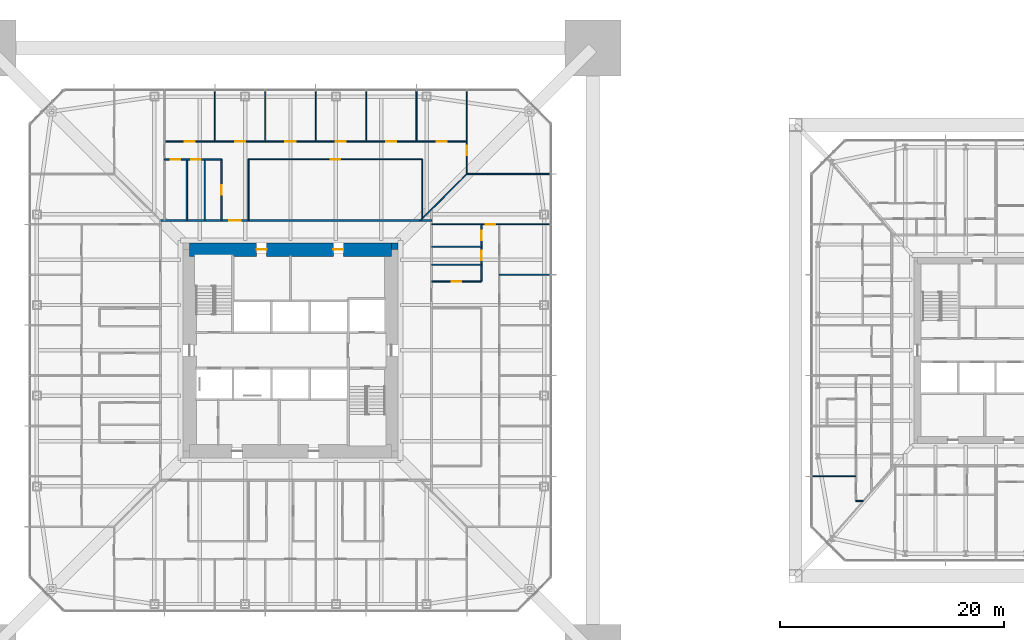
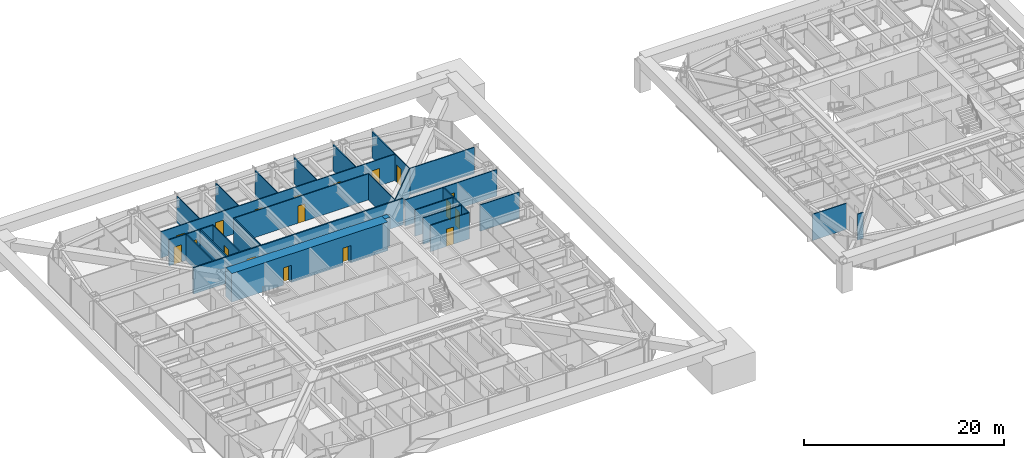
# One storey, part 23 of 32: 27 walls, 18 doors, 18 openings.
"""IFC4 building model written with IfcOpenShell, lengths in metres."""

from ifc_helpers import new_model, si_unit, direction, frame, frame_2d, origin, place, context, subcontext, project, spatial, rectangle, extrude, material, layer, layer_set, type_object, element, fill, save


model = new_model("IFC4")

# Units and contexts
model_context = context("Model", 3, precision=1e-05, world=origin(), true_north=direction((0.0, 1.0)))
body_context = subcontext(model_context, "Body", "Model", "MODEL_VIEW")
ifc_project = project(units=[si_unit("LENGTHUNIT", "METRE"), si_unit("AREAUNIT", "SQUARE_METRE"), si_unit("VOLUMEUNIT", "CUBIC_METRE"), si_unit("PLANEANGLEUNIT", "RADIAN"), si_unit("MASSUNIT", "GRAM", prefix="KILO")], contexts=[model_context])

# Site, building, storey
site_placement = place(None, origin())
site = spatial("IfcSite", under=ifc_project, at=site_placement, CompositionType="ELEMENT")
building_placement = place(site_placement, origin())
building = spatial("IfcBuilding", under=site, at=building_placement, Name="Iwan Alto Co-Living Towers", CompositionType="ELEMENT")
storey_placement = place(building_placement, frame((0.0, 0.0, 71.0)))
storey = spatial("IfcBuildingStorey", under=building, at=storey_placement, Name="L19", CompositionType="ELEMENT", Elevation=71.0)

# Wall, opening, door
ifc_material_1 = material(Name="Gypsum board")
ifc_layer_1 = layer(ifc_material_1, 0.02490234375, Name="Board", Category="Finish")
ifc_material_2 = material(Name="Steel ASTM A1003 ST33H cold-formed studs", Category="steel")
ifc_layer_2 = layer(ifc_material_2, 0.10009765625, Name="Studs", Category="Framing")
ifc_layer_3 = layer(ifc_material_1, 0.02490234375, Name="Board", Category="Finish")
ifc_layer_set_1 = layer_set([ifc_layer_1, ifc_layer_2, ifc_layer_3], Name="CORRIDOR WALL 150")
wall_type_1 = type_object("IfcWallType", Name="CORRIDOR WALL 150", PredefinedType="PARTITIONING", material=ifc_layer_set_1)
wall_1_placement = place(storey_placement, frame((-11.60009765625, 11.60009765625, 0.0), z_axis=(0.0, 0.0, 1.0), x_axis=(1.0, 0.0, 0.0)))
wall_1 = element("IfcWall", 1, at=wall_1_placement, inside=storey, type_object=wall_type_1, Name="Partition L19", PredefinedType="PARTITIONING", context=body_context, shape_type="SweptSolid", body=[
    extrude(rectangle(XDim=24.2001953125, YDim=0.14990234375, at=frame_2d((12.10009765625, 0.0))), origin(), (0.0, 0.0, 1.0), 3.199951171875),
])
opening_1_placement = place(wall_1_placement, frame((6.14990234375, 0.0, 0.0)))
opening_1 = element("IfcOpeningElement", 2, at=opening_1_placement, cuts=wall_1, Name="Opening D3", PredefinedType="OPENING", context=body_context, shape_type="SweptSolid", body=[
    extrude(rectangle(XDim=1.0, YDim=2.10009765625, at=frame_2d((0.5, 1.050048828125))), frame((0.0, 0.0849609375, 0.0), z_axis=(0.0, -1.0, 0.0), x_axis=(1.0, 0.0, 0.0)), (0.0, 0.0, 1.0), 0.169921875),
])
ifc_material_3 = material(Name="Steel frame with timber leaf", Category="steel")
door_type_1 = type_object("IfcDoorType", Name="FLAT ENTRANCE DOOR FD30S 1000X2100", OperationType="SINGLE_SWING_LEFT", PredefinedType="DOOR", material=ifc_material_3)
door_1_placement = place(opening_1_placement, origin())
door_1 = element("IfcDoor", 3, at=door_1_placement, inside=storey, type_object=door_type_1, Name="Cluster lounge and shared kitchen door L19", OperationType="SINGLE_SWING_LEFT", OverallHeight=2.10009765625, OverallWidth=1.0, PredefinedType="DOOR", context=body_context, shape_type="SweptSolid", body=[
    extrude(rectangle(XDim=1.0, YDim=2.10009765625, at=frame_2d((0.5, 1.050048828125))), frame((0.0, 0.02490234375, 0.0), z_axis=(0.0, -1.0, 0.0), x_axis=(1.0, 0.0, 0.0)), (0.0, 0.0, 1.0), 0.050048828125),
])
fill(opening_1, door_1)

# Walls
ifc_layer_4 = layer(ifc_material_1, 0.012451171875, Name="Board", Category="Finish")
ifc_layer_5 = layer(ifc_material_2, 0.074951171875, Name="Studs", Category="Framing")
ifc_layer_6 = layer(ifc_material_1, 0.012451171875, Name="Board", Category="Finish")
ifc_layer_set_2 = layer_set([ifc_layer_4, ifc_layer_5, ifc_layer_6], Name="PARTITION 100")
wall_type_2 = type_object("IfcWallType", Name="PARTITION 100", PredefinedType="PARTITIONING", material=ifc_layer_set_2)
wall_2_placement = place(storey_placement, frame((50.5, -13.449951171875, 0.0), z_axis=(0.0, 0.0, 1.0), x_axis=(1.0, 0.0, 0.0)))
element("IfcWall", 4, at=wall_2_placement, inside=storey, type_object=wall_type_2, Name="Partition L19", PredefinedType="PARTITIONING", context=body_context, shape_type="SweptSolid", body=[
    extrude(rectangle(XDim=0.6640625, YDim=0.10009765625, at=frame_2d((0.33203125, 0.0))), origin(), (0.0, 0.0, 1.0), 3.199951171875),
])
wall_3_placement = place(storey_placement, frame((46.56005859375, -11.25, 0.0), z_axis=(0.0, 0.0, 1.0), x_axis=(1.0, 0.0, 0.0)))
element("IfcWall", 5, at=wall_3_placement, inside=storey, type_object=wall_type_2, Name="Partition L19", PredefinedType="PARTITIONING", context=body_context, shape_type="SweptSolid", body=[
    extrude(rectangle(XDim=3.93994140625, YDim=0.10009765625, at=frame_2d((1.969970703125, 0.0))), origin(), (0.0, 0.0, 1.0), 3.199951171875),
])
wall_4_placement = place(storey_placement, frame((18.64990234375, 6.75, 0.0), z_axis=(0.0, 0.0, 1.0), x_axis=(1.0, 0.0, 0.0)))
element("IfcWall", 6, at=wall_4_placement, inside=storey, type_object=wall_type_2, Name="Partition L19", PredefinedType="PARTITIONING", context=body_context, shape_type="SweptSolid", body=[
    extrude(rectangle(XDim=4.5400390625, YDim=0.10009765625, at=frame_2d((2.27001953125, 0.0))), origin(), (0.0, 0.0, 1.0), 3.199951171875),
])

# Wall, opening, door
wall_5_placement = place(storey_placement, frame((12.60009765625, 11.25, 0.0), z_axis=(0.0, 0.0, 1.0), x_axis=(1.0, 0.0, 0.0)))
wall_5 = element("IfcWall", 7, at=wall_5_placement, inside=storey, type_object=wall_type_2, Name="Partition L19", PredefinedType="PARTITIONING", context=body_context, shape_type="SweptSolid", body=[
    extrude(rectangle(XDim=10.58984375, YDim=0.10009765625, at=frame_2d((5.294921875, 0.0))), origin(), (0.0, 0.0, 1.0), 3.199951171875),
])
opening_2_placement = place(wall_5_placement, frame((4.824951171875, 0.0, 0.0)))
opening_2 = element("IfcOpeningElement", 8, at=opening_2_placement, cuts=wall_5, Name="Opening D2", PredefinedType="OPENING", context=body_context, shape_type="SweptSolid", body=[
    extrude(rectangle(XDim=0.85009765625, YDim=2.10009765625, at=frame_2d((0.425048828125, 1.050048828125))), frame((0.0, 0.06005859375, 0.0), z_axis=(0.0, -1.0, 0.0), x_axis=(1.0, 0.0, 0.0)), (0.0, 0.0, 1.0), 0.1201171875),
])
ifc_material_4 = material(Name="Timber leaf in steel frame", Category="steel")
door_type_2 = type_object("IfcDoorType", Name="ROOM DOOR 850X2100", OperationType="SINGLE_SWING_LEFT", PredefinedType="DOOR", material=ifc_material_4)
door_2_placement = place(opening_2_placement, frame((0.85009765625, 0.0, 0.0), z_axis=(0.0, 0.0, 1.0), x_axis=(-1.0, 0.0, 0.0)))
door_2 = element("IfcDoor", 9, at=door_2_placement, inside=storey, type_object=door_type_2, Name="Reading room door L19", OperationType="SINGLE_SWING_RIGHT", OverallHeight=2.10009765625, OverallWidth=0.85009765625, PredefinedType="DOOR", context=body_context, shape_type="SweptSolid", body=[
    extrude(rectangle(XDim=0.85009765625, YDim=2.10009765625, at=frame_2d((0.425048828125, 1.050048828125))), frame((0.0, 0.02490234375, 0.0), z_axis=(0.0, -1.0, 0.0), x_axis=(1.0, 0.0, 0.0)), (0.0, 0.0, 1.0), 0.050048828125),
])
fill(opening_2, door_2)

# Wall
wall_6_placement = place(storey_placement, frame((15.75, 15.75, 0.0), z_axis=(0.0, 0.0, 1.0), x_axis=(1.0, 0.0, 0.0)))
element("IfcWall", 10, at=wall_6_placement, inside=storey, type_object=wall_type_2, Name="Partition L19", PredefinedType="PARTITIONING", context=body_context, shape_type="SweptSolid", body=[
    extrude(rectangle(XDim=7.43994140625, YDim=0.10009765625, at=frame_2d((3.719970703125, 0.0))), origin(), (0.0, 0.0, 1.0), 3.199951171875),
])

# Wall, opening, door
wall_7_placement = place(storey_placement, frame((-3.75, 17.050048828125, 0.0), z_axis=(0.0, 0.0, 1.0), x_axis=(1.0, 0.0, 0.0)))
wall_7 = element("IfcWall", 11, at=wall_7_placement, inside=storey, type_object=wall_type_2, Name="Partition L19", PredefinedType="PARTITIONING", context=body_context, shape_type="SweptSolid", body=[
    extrude(rectangle(XDim=15.510009765625, YDim=0.10009765625, at=frame_2d((7.7548828125, 0.0))), origin(), (0.0, 0.0, 1.0), 3.199951171875),
])
opening_3_placement = place(wall_7_placement, frame((7.330078125, 0.0, 0.0)))
opening_3 = element("IfcOpeningElement", 12, at=opening_3_placement, cuts=wall_7, Name="Opening D2", PredefinedType="OPENING", context=body_context, shape_type="SweptSolid", body=[
    extrude(rectangle(XDim=0.85009765625, YDim=2.10009765625, at=frame_2d((0.425048828125, 1.050048828125))), frame((0.0, 0.06005859375, 0.0), z_axis=(0.0, -1.0, 0.0), x_axis=(1.0, 0.0, 0.0)), (0.0, 0.0, 1.0), 0.1201171875),
])
door_3_placement = place(opening_3_placement, frame((0.85009765625, 0.0, 0.0), z_axis=(0.0, 0.0, 1.0), x_axis=(-1.0, 0.0, 0.0)))
door_3 = element("IfcDoor", 13, at=door_3_placement, inside=storey, type_object=door_type_2, Name="Study lounge door L19", OperationType="SINGLE_SWING_RIGHT", OverallHeight=2.10009765625, OverallWidth=0.85009765625, PredefinedType="DOOR", context=body_context, shape_type="SweptSolid", body=[
    extrude(rectangle(XDim=0.85009765625, YDim=2.10009765625, at=frame_2d((0.425048828125, 1.050048828125))), frame((0.0, 0.02490234375, 0.0), z_axis=(0.0, -1.0, 0.0), x_axis=(1.0, 0.0, 0.0)), (0.0, 0.0, 1.0), 0.050048828125),
])
fill(opening_3, door_3)

# Wall, openings, doors
wall_8_placement = place(storey_placement, frame((-11.25, 18.64990234375, 0.0), z_axis=(0.0, 0.0, 1.0), x_axis=(1.0, 0.0, 0.0)))
wall_8 = element("IfcWall", 14, at=wall_8_placement, inside=storey, type_object=wall_type_2, Name="Partition L19", PredefinedType="PARTITIONING", context=body_context, shape_type="SweptSolid", body=[
    extrude(rectangle(XDim=27.0, YDim=0.10009765625, at=frame_2d((13.5, 0.0))), origin(), (0.0, 0.0, 1.0), 3.199951171875),
])
opening_4_placement = place(wall_8_placement, frame((24.300048828125, 0.0, 0.0)))
opening_4 = element("IfcOpeningElement", 15, at=opening_4_placement, cuts=wall_8, Name="Opening D1", PredefinedType="OPENING", context=body_context, shape_type="SweptSolid", body=[
    extrude(rectangle(XDim=0.89990234375, YDim=2.10009765625, at=frame_2d((0.449951171875, 1.050048828125))), frame((0.0, 0.06005859375, 0.0), z_axis=(0.0, -1.0, 0.0), x_axis=(1.0, 0.0, 0.0)), (0.0, 0.0, 1.0), 0.1201171875),
])
opening_5_placement = place(wall_8_placement, frame((19.800048828125, 0.0, 0.0)))
opening_5 = element("IfcOpeningElement", 16, at=opening_5_placement, cuts=wall_8, Name="Opening D1", PredefinedType="OPENING", context=body_context, shape_type="SweptSolid", body=[
    extrude(rectangle(XDim=0.89990234375, YDim=2.10009765625, at=frame_2d((0.449951171875, 1.050048828125))), frame((0.0, 0.06005859375, 0.0), z_axis=(0.0, -1.0, 0.0), x_axis=(1.0, 0.0, 0.0)), (0.0, 0.0, 1.0), 0.1201171875),
])
opening_6_placement = place(wall_8_placement, frame((15.300048828125, 0.0, 0.0)))
opening_6 = element("IfcOpeningElement", 17, at=opening_6_placement, cuts=wall_8, Name="Opening D1", PredefinedType="OPENING", context=body_context, shape_type="SweptSolid", body=[
    extrude(rectangle(XDim=0.89990234375, YDim=2.10009765625, at=frame_2d((0.449951171875, 1.050048828125))), frame((0.0, 0.06005859375, 0.0), z_axis=(0.0, -1.0, 0.0), x_axis=(1.0, 0.0, 0.0)), (0.0, 0.0, 1.0), 0.1201171875),
])
opening_7_placement = place(wall_8_placement, frame((10.800048828125, 0.0, 0.0)))
opening_7 = element("IfcOpeningElement", 18, at=opening_7_placement, cuts=wall_8, Name="Opening D1", PredefinedType="OPENING", context=body_context, shape_type="SweptSolid", body=[
    extrude(rectangle(XDim=0.89990234375, YDim=2.10009765625, at=frame_2d((0.449951171875, 1.050048828125))), frame((0.0, 0.06005859375, 0.0), z_axis=(0.0, -1.0, 0.0), x_axis=(1.0, 0.0, 0.0)), (0.0, 0.0, 1.0), 0.1201171875),
])
opening_8_placement = place(wall_8_placement, frame((6.300048828125, 0.0, 0.0)))
opening_8 = element("IfcOpeningElement", 19, at=opening_8_placement, cuts=wall_8, Name="Opening D1", PredefinedType="OPENING", context=body_context, shape_type="SweptSolid", body=[
    extrude(rectangle(XDim=0.89990234375, YDim=2.10009765625, at=frame_2d((0.449951171875, 1.050048828125))), frame((0.0, 0.06005859375, 0.0), z_axis=(0.0, -1.0, 0.0), x_axis=(1.0, 0.0, 0.0)), (0.0, 0.0, 1.0), 0.1201171875),
])
opening_9_placement = place(wall_8_placement, frame((1.800048828125, 0.0, 0.0)))
opening_9 = element("IfcOpeningElement", 20, at=opening_9_placement, cuts=wall_8, Name="Opening D1", PredefinedType="OPENING", context=body_context, shape_type="SweptSolid", body=[
    extrude(rectangle(XDim=0.89990234375, YDim=2.10009765625, at=frame_2d((0.449951171875, 1.050048828125))), frame((0.0, 0.06005859375, 0.0), z_axis=(0.0, -1.0, 0.0), x_axis=(1.0, 0.0, 0.0)), (0.0, 0.0, 1.0), 0.1201171875),
])
ifc_material_5 = material(Name="Timber leaf in steel frame", Category="steel")
door_type_3 = type_object("IfcDoorType", Name="BEDROOM DOOR 900X2100", OperationType="SINGLE_SWING_LEFT", PredefinedType="DOOR", material=ifc_material_5)
door_4_placement = place(opening_4_placement, frame((0.89990234375, 0.0, 0.0), z_axis=(0.0, 0.0, 1.0), x_axis=(-1.0, 0.0, 0.0)))
door_4 = element("IfcDoor", 21, at=door_4_placement, inside=storey, type_object=door_type_3, Name="Study bedroom door L19", OperationType="SINGLE_SWING_LEFT", OverallHeight=2.10009765625, OverallWidth=0.89990234375, PredefinedType="DOOR", context=body_context, shape_type="SweptSolid", body=[
    extrude(rectangle(XDim=0.89990234375, YDim=2.10009765625, at=frame_2d((0.449951171875, 1.050048828125))), frame((0.0, 0.02490234375, 0.0), z_axis=(0.0, -1.0, 0.0), x_axis=(1.0, 0.0, 0.0)), (0.0, 0.0, 1.0), 0.050048828125),
])
fill(opening_4, door_4)
door_5_placement = place(opening_5_placement, frame((0.89990234375, 0.0, 0.0), z_axis=(0.0, 0.0, 1.0), x_axis=(-1.0, 0.0, 0.0)))
door_5 = element("IfcDoor", 22, at=door_5_placement, inside=storey, type_object=door_type_3, Name="Study bedroom door L19", OperationType="SINGLE_SWING_LEFT", OverallHeight=2.10009765625, OverallWidth=0.89990234375, PredefinedType="DOOR", context=body_context, shape_type="SweptSolid", body=[
    extrude(rectangle(XDim=0.89990234375, YDim=2.10009765625, at=frame_2d((0.449951171875, 1.050048828125))), frame((0.0, 0.02490234375, 0.0), z_axis=(0.0, -1.0, 0.0), x_axis=(1.0, 0.0, 0.0)), (0.0, 0.0, 1.0), 0.050048828125),
])
fill(opening_5, door_5)
door_6_placement = place(opening_6_placement, frame((0.89990234375, 0.0, 0.0), z_axis=(0.0, 0.0, 1.0), x_axis=(-1.0, 0.0, 0.0)))
door_6 = element("IfcDoor", 23, at=door_6_placement, inside=storey, type_object=door_type_3, Name="Study bedroom door L19", OperationType="SINGLE_SWING_LEFT", OverallHeight=2.10009765625, OverallWidth=0.89990234375, PredefinedType="DOOR", context=body_context, shape_type="SweptSolid", body=[
    extrude(rectangle(XDim=0.89990234375, YDim=2.10009765625, at=frame_2d((0.449951171875, 1.050048828125))), frame((0.0, 0.02490234375, 0.0), z_axis=(0.0, -1.0, 0.0), x_axis=(1.0, 0.0, 0.0)), (0.0, 0.0, 1.0), 0.050048828125),
])
fill(opening_6, door_6)
door_7_placement = place(opening_7_placement, frame((0.89990234375, 0.0, 0.0), z_axis=(0.0, 0.0, 1.0), x_axis=(-1.0, 0.0, 0.0)))
door_7 = element("IfcDoor", 24, at=door_7_placement, inside=storey, type_object=door_type_3, Name="Study bedroom door L19", OperationType="SINGLE_SWING_RIGHT", OverallHeight=2.10009765625, OverallWidth=0.89990234375, PredefinedType="DOOR", context=body_context, shape_type="SweptSolid", body=[
    extrude(rectangle(XDim=0.89990234375, YDim=2.10009765625, at=frame_2d((0.449951171875, 1.050048828125))), frame((0.0, 0.02490234375, 0.0), z_axis=(0.0, -1.0, 0.0), x_axis=(1.0, 0.0, 0.0)), (0.0, 0.0, 1.0), 0.050048828125),
])
fill(opening_7, door_7)
door_8_placement = place(opening_8_placement, frame((0.89990234375, 0.0, 0.0), z_axis=(0.0, 0.0, 1.0), x_axis=(-1.0, 0.0, 0.0)))
door_8 = element("IfcDoor", 25, at=door_8_placement, inside=storey, type_object=door_type_3, Name="Study bedroom door L19", OperationType="SINGLE_SWING_RIGHT", OverallHeight=2.10009765625, OverallWidth=0.89990234375, PredefinedType="DOOR", context=body_context, shape_type="SweptSolid", body=[
    extrude(rectangle(XDim=0.89990234375, YDim=2.10009765625, at=frame_2d((0.449951171875, 1.050048828125))), frame((0.0, 0.02490234375, 0.0), z_axis=(0.0, -1.0, 0.0), x_axis=(1.0, 0.0, 0.0)), (0.0, 0.0, 1.0), 0.050048828125),
])
fill(opening_8, door_8)
door_9_placement = place(opening_9_placement, frame((0.89990234375, 0.0, 0.0), z_axis=(0.0, 0.0, 1.0), x_axis=(-1.0, 0.0, 0.0)))
door_9 = element("IfcDoor", 26, at=door_9_placement, inside=storey, type_object=door_type_3, Name="Study bedroom door L19", OperationType="SINGLE_SWING_RIGHT", OverallHeight=2.10009765625, OverallWidth=0.89990234375, PredefinedType="DOOR", context=body_context, shape_type="SweptSolid", body=[
    extrude(rectangle(XDim=0.89990234375, YDim=2.10009765625, at=frame_2d((0.449951171875, 1.050048828125))), frame((0.0, 0.02490234375, 0.0), z_axis=(0.0, -1.0, 0.0), x_axis=(1.0, 0.0, 0.0)), (0.0, 0.0, 1.0), 0.050048828125),
])
fill(opening_9, door_9)

# Wall
wall_9_placement = place(storey_placement, frame((11.60009765625, 11.60009765625, 0.0), z_axis=(0.0, 0.0, 1.0), x_axis=(0.707106781187, 0.707106781187, 0.0)))
element("IfcWall", 27, at=wall_9_placement, inside=storey, type_object=wall_type_2, Name="Partition L19", PredefinedType="PARTITIONING", context=body_context, shape_type="SweptSolid", body=[
    extrude(rectangle(XDim=5.868896484375, YDim=0.10009765625, at=frame_2d((2.9345703125, 0.0))), origin(), (0.0, 0.0, 1.0), 3.199951171875),
])

# Wall, opening, door
wall_10_placement = place(storey_placement, frame((15.75, 15.75, 0.0), z_axis=(0.0, 0.0, 1.0), x_axis=(0.0, 1.0, 0.0)))
wall_10 = element("IfcWall", 28, at=wall_10_placement, inside=storey, type_object=wall_type_2, Name="Partition L19", PredefinedType="PARTITIONING", context=body_context, shape_type="SweptSolid", body=[
    extrude(rectangle(XDim=7.43994140625, YDim=0.10009765625, at=frame_2d((3.719970703125, 0.0))), origin(), (0.0, 0.0, 1.0), 3.199951171875),
])
opening_10_placement = place(wall_10_placement, frame((1.675048828125, 0.0, 0.0)))
opening_10 = element("IfcOpeningElement", 29, at=opening_10_placement, cuts=wall_10, Name="Opening D2", PredefinedType="OPENING", context=body_context, shape_type="SweptSolid", body=[
    extrude(rectangle(XDim=0.85009765625, YDim=2.10009765625, at=frame_2d((0.425048828125, 1.050048828125))), frame((0.0, 0.06005859375, 0.0), z_axis=(0.0, -1.0, 0.0), x_axis=(1.0, 0.0, 0.0)), (0.0, 0.0, 1.0), 0.1201171875),
])
door_10_placement = place(opening_10_placement, origin())
door_10 = element("IfcDoor", 30, at=door_10_placement, inside=storey, type_object=door_type_2, Name="Study lounge door L19", OperationType="SINGLE_SWING_RIGHT", OverallHeight=2.10009765625, OverallWidth=0.85009765625, PredefinedType="DOOR", context=body_context, shape_type="SweptSolid", body=[
    extrude(rectangle(XDim=0.85009765625, YDim=2.10009765625, at=frame_2d((0.425048828125, 1.050048828125))), frame((0.0, 0.02490234375, 0.0), z_axis=(0.0, -1.0, 0.0), x_axis=(1.0, 0.0, 0.0)), (0.0, 0.0, 1.0), 0.050048828125),
])
fill(opening_10, door_10)

# Walls
wall_11_placement = place(storey_placement, frame((11.760009765625, 11.760009765625, 0.0), z_axis=(0.0, 0.0, 1.0), x_axis=(0.0, 1.0, 0.0)))
element("IfcWall", 31, at=wall_11_placement, inside=storey, type_object=wall_type_2, Name="Partition L19", PredefinedType="PARTITIONING", context=body_context, shape_type="SweptSolid", body=[
    extrude(rectangle(XDim=5.2900390625, YDim=0.10009765625, at=frame_2d((2.64501953125, 0.0))), origin(), (0.0, 0.0, 1.0), 3.199951171875),
])
for number, where, z_axis, x_axis, name in (
    (32, (11.25, 18.64990234375, 0.0), (0.0, 0.0, 1.0), (0.0, 1.0, 0.0), "Partition L19"),
    (33, (6.75, 18.64990234375, 0.0), (0.0, 0.0, 1.0), (0.0, 1.0, 0.0), "Partition L19"),
    (34, (2.25, 18.64990234375, 0.0), (0.0, 0.0, 1.0), (0.0, 1.0, 0.0), "Partition L19"),
    (35, (-2.25, 18.64990234375, 0.0), (0.0, 0.0, 1.0), (0.0, 1.0, 0.0), "Partition L19"),
):
    element("IfcWall", number, at=place(storey_placement, frame(where, z_axis=z_axis, x_axis=x_axis)), inside=storey, type_object=wall_type_2, Name=name, PredefinedType="PARTITIONING", context=body_context, shape_type="SweptSolid", body=[
        extrude(rectangle(XDim=4.5400390625, YDim=0.10009765625, at=frame_2d((2.27001953125, 0.0))), origin(), (0.0, 0.0, 1.0), 3.199951171875),
    ])
wall_12_placement = place(storey_placement, frame((-3.75, 11.60009765625, 0.0), z_axis=(0.0, 0.0, 1.0), x_axis=(0.0, 1.0, 0.0)))
element("IfcWall", 36, at=wall_12_placement, inside=storey, type_object=wall_type_2, Name="Partition L19", PredefinedType="PARTITIONING", context=body_context, shape_type="SweptSolid", body=[
    extrude(rectangle(XDim=5.449951171875, YDim=0.10009765625, at=frame_2d((2.72509765625, 0.0))), origin(), (0.0, 0.0, 1.0), 3.199951171875),
])
wall_13_placement = place(storey_placement, frame((-6.75, 18.64990234375, 0.0), z_axis=(0.0, 0.0, 1.0), x_axis=(0.0, 1.0, 0.0)))
element("IfcWall", 37, at=wall_13_placement, inside=storey, type_object=wall_type_2, Name="Partition L19", PredefinedType="PARTITIONING", context=body_context, shape_type="SweptSolid", body=[
    extrude(rectangle(XDim=4.5400390625, YDim=0.10009765625, at=frame_2d((2.27001953125, 0.0))), origin(), (0.0, 0.0, 1.0), 3.199951171875),
])
ifc_material_6 = material(Name="Concrete f'c 70 MPa", Category="concrete")
ifc_layer_7 = layer(ifc_material_6, 0.60009765625)
ifc_layer_set_3 = layer_set([ifc_layer_7], Name="T1 CORE CORNER FILL 600")
wall_type_3 = type_object("IfcWallType", Name="T1 CORE CORNER FILL 600", PredefinedType="SOLIDWALL", material=ifc_layer_set_3)
wall_14_placement = place(storey_placement, frame((9.0, 9.300048828125, 0.0), z_axis=(0.0, 0.0, 1.0), x_axis=(1.0, 0.0, 0.0)))
element("IfcWall", 38, at=wall_14_placement, inside=storey, type_object=wall_type_3, Name="T1 core corner NE L19", PredefinedType="SOLIDWALL", context=body_context, shape_type="SweptSolid", body=[
    extrude(rectangle(XDim=0.60009765625, YDim=0.60009765625, at=frame_2d((0.300048828125, 0.0))), origin(), (0.0, 0.0, 1.0), 3.5),
])

# Wall, openings, doors
ifc_material_7 = material(Name="Concrete f'c 70 MPa", Category="concrete")
ifc_layer_8 = layer(ifc_material_7, 1.199951171875)
ifc_layer_set_4 = layer_set([ifc_layer_8], Name="T1 CORE WALL 1200")
wall_type_4 = type_object("IfcWallType", Name="T1 CORE WALL 1200", PredefinedType="SHEAR", material=ifc_layer_set_4)
wall_15_placement = place(storey_placement, frame((9.0, 9.0, 0.0), z_axis=(0.0, 0.0, 1.0), x_axis=(-1.0, 0.0, 0.0)))
wall_15 = element("IfcWall", 39, at=wall_15_placement, inside=storey, type_object=wall_type_4, Name="T1 core wall N L19", PredefinedType="SHEAR", context=body_context, shape_type="SweptSolid", body=[
    extrude(rectangle(XDim=18.0, YDim=1.199951171875, at=frame_2d((9.0, 0.0))), origin(), (0.0, 0.0, 1.0), 3.5),
])
opening_11_placement = place(wall_15_placement, frame((11.125, 0.0, 0.0)))
opening_11 = element("IfcOpeningElement", 40, at=opening_11_placement, cuts=wall_15, Name="Opening D8", PredefinedType="OPENING", context=body_context, shape_type="SweptSolid", body=[
    extrude(rectangle(XDim=0.89990234375, YDim=2.10009765625, at=frame_2d((0.449951171875, 1.050048828125))), frame((0.0, 0.60986328125, 0.0), z_axis=(0.0, -1.0, 0.0), x_axis=(1.0, 0.0, 0.0)), (0.0, 0.0, 1.0), 1.219970703125),
])
opening_12_placement = place(wall_15_placement, frame((4.27490234375, 0.0, 0.0)))
opening_12 = element("IfcOpeningElement", 41, at=opening_12_placement, cuts=wall_15, Name="Opening D8", PredefinedType="OPENING", context=body_context, shape_type="SweptSolid", body=[
    extrude(rectangle(XDim=0.89990234375, YDim=2.10009765625, at=frame_2d((0.449951171875, 1.050048828125))), frame((0.0, 0.60986328125, 0.0), z_axis=(0.0, -1.0, 0.0), x_axis=(1.0, 0.0, 0.0)), (0.0, 0.0, 1.0), 1.219970703125),
])
ifc_material_8 = material(Name="Steel frame with timber leaf", Category="steel")
door_type_4 = type_object("IfcDoorType", Name="RISER DOOR FD120 900X2100", OperationType="SINGLE_SWING_LEFT", PredefinedType="DOOR", material=ifc_material_8)
door_11_placement = place(opening_11_placement, origin())
door_11 = element("IfcDoor", 42, at=door_11_placement, inside=storey, type_object=door_type_4, Name="Electrical riser core door L19", OperationType="SINGLE_SWING_RIGHT", OverallHeight=2.10009765625, OverallWidth=0.89990234375, PredefinedType="DOOR", context=body_context, shape_type="SweptSolid", body=[
    extrude(rectangle(XDim=0.89990234375, YDim=2.10009765625, at=frame_2d((0.449951171875, 1.050048828125))), frame((0.0, 0.02490234375, 0.0), z_axis=(0.0, -1.0, 0.0), x_axis=(1.0, 0.0, 0.0)), (0.0, 0.0, 1.0), 0.050048828125),
])
fill(opening_11, door_11)
door_12_placement = place(opening_12_placement, origin())
door_12 = element("IfcDoor", 43, at=door_12_placement, inside=storey, type_object=door_type_4, Name="Water and drainage riser core door L19", OperationType="SINGLE_SWING_RIGHT", OverallHeight=2.10009765625, OverallWidth=0.89990234375, PredefinedType="DOOR", context=body_context, shape_type="SweptSolid", body=[
    extrude(rectangle(XDim=0.89990234375, YDim=2.10009765625, at=frame_2d((0.449951171875, 1.050048828125))), frame((0.0, 0.02490234375, 0.0), z_axis=(0.0, -1.0, 0.0), x_axis=(1.0, 0.0, 0.0)), (0.0, 0.0, 1.0), 0.050048828125),
])
fill(opening_12, door_12)

# Wall, opening, door
ifc_material_9 = material(Name="Cement board")
ifc_layer_9 = layer(ifc_material_9, 0.012451171875, Name="Board", Category="Finish")
ifc_layer_10 = layer(ifc_material_2, 0.094970703125, Name="Studs", Category="Framing")
ifc_layer_11 = layer(ifc_material_9, 0.012451171875, Name="Board", Category="Finish")
ifc_layer_set_5 = layer_set([ifc_layer_9, ifc_layer_10, ifc_layer_11], Name="WET AREA PARTITION 120")
wall_type_5 = type_object("IfcWallType", Name="WET AREA PARTITION 120", PredefinedType="PARTITIONING", material=ifc_layer_set_5)
wall_16_placement = place(storey_placement, frame((12.60009765625, 6.14990234375, 0.0), z_axis=(0.0, 0.0, 1.0), x_axis=(1.0, 0.0, 0.0)))
wall_16 = element("IfcWall", 44, at=wall_16_placement, inside=storey, type_object=wall_type_5, Name="Partition L19", PredefinedType="PARTITIONING", context=body_context, shape_type="SweptSolid", body=[
    extrude(rectangle(XDim=4.449951171875, YDim=0.1201171875, at=frame_2d((2.22509765625, 0.0))), origin(), (0.0, 0.0, 1.0), 3.199951171875),
])
opening_13_placement = place(wall_16_placement, frame((1.800048828125, 0.0, 0.0)))
opening_13 = element("IfcOpeningElement", 45, at=opening_13_placement, cuts=wall_16, Name="Opening D2", PredefinedType="OPENING", context=body_context, shape_type="SweptSolid", body=[
    extrude(rectangle(XDim=0.85009765625, YDim=2.10009765625, at=frame_2d((0.425048828125, 1.050048828125))), frame((0.0, 0.070068359375, 0.0), z_axis=(0.0, -1.0, 0.0), x_axis=(1.0, 0.0, 0.0)), (0.0, 0.0, 1.0), 0.14013671875),
])
door_13_placement = place(opening_13_placement, frame((0.85009765625, 0.0, 0.0), z_axis=(0.0, 0.0, 1.0), x_axis=(-1.0, 0.0, 0.0)))
door_13 = element("IfcDoor", 46, at=door_13_placement, inside=storey, type_object=door_type_2, Name="Bathroom door L19", OperationType="SINGLE_SWING_RIGHT", OverallHeight=2.10009765625, OverallWidth=0.85009765625, PredefinedType="DOOR", context=body_context, shape_type="SweptSolid", body=[
    extrude(rectangle(XDim=0.85009765625, YDim=2.10009765625, at=frame_2d((0.425048828125, 1.050048828125))), frame((0.0, 0.02490234375, 0.0), z_axis=(0.0, -1.0, 0.0), x_axis=(1.0, 0.0, 0.0)), (0.0, 0.0, 1.0), 0.050048828125),
])
fill(opening_13, door_13)

# Walls
for number, where, z_axis, x_axis, name in (
    (47, (12.60009765625, 7.64990234375, 0.0), (0.0, 0.0, 1.0), (1.0, 0.0, 0.0), "Partition L19"),
    (48, (12.60009765625, 9.25, 0.0), (0.0, 0.0, 1.0), (1.0, 0.0, 0.0), "Partition L19"),
):
    element("IfcWall", number, at=place(storey_placement, frame(where, z_axis=z_axis, x_axis=x_axis)), inside=storey, type_object=wall_type_5, Name=name, PredefinedType="PARTITIONING", context=body_context, shape_type="SweptSolid", body=[
        extrude(rectangle(XDim=4.449951171875, YDim=0.1201171875, at=frame_2d((2.22509765625, 0.0))), origin(), (0.0, 0.0, 1.0), 3.199951171875),
    ])

# Wall, openings, doors
wall_17_placement = place(storey_placement, frame((-11.25, 17.050048828125, 0.0), z_axis=(0.0, 0.0, 1.0), x_axis=(1.0, 0.0, 0.0)))
wall_17 = element("IfcWall", 49, at=wall_17_placement, inside=storey, type_object=wall_type_5, Name="Partition L19", PredefinedType="PARTITIONING", context=body_context, shape_type="SweptSolid", body=[
    extrude(rectangle(XDim=5.10009765625, YDim=0.1201171875, at=frame_2d((2.550048828125, 0.0))), origin(), (0.0, 0.0, 1.0), 3.199951171875),
])
opening_14_placement = place(wall_17_placement, frame((2.375, 0.0, 0.0)))
opening_14 = element("IfcOpeningElement", 50, at=opening_14_placement, cuts=wall_17, Name="Opening D2", PredefinedType="OPENING", context=body_context, shape_type="SweptSolid", body=[
    extrude(rectangle(XDim=0.85009765625, YDim=2.10009765625, at=frame_2d((0.425048828125, 1.050048828125))), frame((0.0, 0.070068359375, 0.0), z_axis=(0.0, -1.0, 0.0), x_axis=(1.0, 0.0, 0.0)), (0.0, 0.0, 1.0), 0.14013671875),
])
opening_15_placement = place(wall_17_placement, frame((0.574951171875, 0.0, 0.0)))
opening_15 = element("IfcOpeningElement", 51, at=opening_15_placement, cuts=wall_17, Name="Opening D2", PredefinedType="OPENING", context=body_context, shape_type="SweptSolid", body=[
    extrude(rectangle(XDim=0.85009765625, YDim=2.10009765625, at=frame_2d((0.425048828125, 1.050048828125))), frame((0.0, 0.070068359375, 0.0), z_axis=(0.0, -1.0, 0.0), x_axis=(1.0, 0.0, 0.0)), (0.0, 0.0, 1.0), 0.14013671875),
])
door_14_placement = place(opening_14_placement, origin())
door_14 = element("IfcDoor", 52, at=door_14_placement, inside=storey, type_object=door_type_2, Name="Accessible bathroom door L19", OperationType="SINGLE_SWING_LEFT", OverallHeight=2.10009765625, OverallWidth=0.85009765625, PredefinedType="DOOR", context=body_context, shape_type="SweptSolid", body=[
    extrude(rectangle(XDim=0.85009765625, YDim=2.10009765625, at=frame_2d((0.425048828125, 1.050048828125))), frame((0.0, 0.02490234375, 0.0), z_axis=(0.0, -1.0, 0.0), x_axis=(1.0, 0.0, 0.0)), (0.0, 0.0, 1.0), 0.050048828125),
])
fill(opening_14, door_14)
door_15_placement = place(opening_15_placement, origin())
door_15 = element("IfcDoor", 53, at=door_15_placement, inside=storey, type_object=door_type_2, Name="Laundry door L19", OperationType="SINGLE_SWING_LEFT", OverallHeight=2.10009765625, OverallWidth=0.85009765625, PredefinedType="DOOR", context=body_context, shape_type="SweptSolid", body=[
    extrude(rectangle(XDim=0.85009765625, YDim=2.10009765625, at=frame_2d((0.425048828125, 1.050048828125))), frame((0.0, 0.02490234375, 0.0), z_axis=(0.0, -1.0, 0.0), x_axis=(1.0, 0.0, 0.0)), (0.0, 0.0, 1.0), 0.050048828125),
])
fill(opening_15, door_15)

wall_18_placement = place(storey_placement, frame((17.050048828125, 6.14990234375, 0.0), z_axis=(0.0, 0.0, 1.0), x_axis=(0.0, 1.0, 0.0)))
wall_18 = element("IfcWall", 54, at=wall_18_placement, inside=storey, type_object=wall_type_5, Name="Partition L19", PredefinedType="PARTITIONING", context=body_context, shape_type="SweptSolid", body=[
    extrude(rectangle(XDim=5.10009765625, YDim=0.1201171875, at=frame_2d((2.550048828125, 0.0))), origin(), (0.0, 0.0, 1.0), 3.199951171875),
])
opening_16_placement = place(wall_18_placement, frame((1.875, 0.0, 0.0)))
opening_16 = element("IfcOpeningElement", 55, at=opening_16_placement, cuts=wall_18, Name="Opening D2", PredefinedType="OPENING", context=body_context, shape_type="SweptSolid", body=[
    extrude(rectangle(XDim=0.85009765625, YDim=2.10009765625, at=frame_2d((0.425048828125, 1.050048828125))), frame((0.0, 0.070068359375, 0.0), z_axis=(0.0, -1.0, 0.0), x_axis=(1.0, 0.0, 0.0)), (0.0, 0.0, 1.0), 0.14013671875),
])
opening_17_placement = place(wall_18_placement, frame((3.675048828125, 0.0, 0.0)))
opening_17 = element("IfcOpeningElement", 56, at=opening_17_placement, cuts=wall_18, Name="Opening D2", PredefinedType="OPENING", context=body_context, shape_type="SweptSolid", body=[
    extrude(rectangle(XDim=0.85009765625, YDim=2.10009765625, at=frame_2d((0.425048828125, 1.050048828125))), frame((0.0, 0.070068359375, 0.0), z_axis=(0.0, -1.0, 0.0), x_axis=(1.0, 0.0, 0.0)), (0.0, 0.0, 1.0), 0.14013671875),
])
door_16_placement = place(opening_16_placement, frame((0.85009765625, 0.0, 0.0), z_axis=(0.0, 0.0, 1.0), x_axis=(-1.0, 0.0, 0.0)))
door_16 = element("IfcDoor", 57, at=door_16_placement, inside=storey, type_object=door_type_2, Name="Accessible bathroom door L19", OperationType="SINGLE_SWING_LEFT", OverallHeight=2.10009765625, OverallWidth=0.85009765625, PredefinedType="DOOR", context=body_context, shape_type="SweptSolid", body=[
    extrude(rectangle(XDim=0.85009765625, YDim=2.10009765625, at=frame_2d((0.425048828125, 1.050048828125))), frame((0.0, 0.02490234375, 0.0), z_axis=(0.0, -1.0, 0.0), x_axis=(1.0, 0.0, 0.0)), (0.0, 0.0, 1.0), 0.050048828125),
])
fill(opening_16, door_16)
door_17_placement = place(opening_17_placement, frame((0.85009765625, 0.0, 0.0), z_axis=(0.0, 0.0, 1.0), x_axis=(-1.0, 0.0, 0.0)))
door_17 = element("IfcDoor", 58, at=door_17_placement, inside=storey, type_object=door_type_2, Name="Laundry door L19", OperationType="SINGLE_SWING_LEFT", OverallHeight=2.10009765625, OverallWidth=0.85009765625, PredefinedType="DOOR", context=body_context, shape_type="SweptSolid", body=[
    extrude(rectangle(XDim=0.85009765625, YDim=2.10009765625, at=frame_2d((0.425048828125, 1.050048828125))), frame((0.0, 0.02490234375, 0.0), z_axis=(0.0, -1.0, 0.0), x_axis=(1.0, 0.0, 0.0)), (0.0, 0.0, 1.0), 0.050048828125),
])
fill(opening_17, door_17)

# Wall, opening, door
wall_19_placement = place(storey_placement, frame((-6.14990234375, 11.60009765625, 0.0), z_axis=(0.0, 0.0, 1.0), x_axis=(0.0, 1.0, 0.0)))
wall_19 = element("IfcWall", 59, at=wall_19_placement, inside=storey, type_object=wall_type_5, Name="Partition L19", PredefinedType="PARTITIONING", context=body_context, shape_type="SweptSolid", body=[
    extrude(rectangle(XDim=5.449951171875, YDim=0.1201171875, at=frame_2d((2.72509765625, 0.0))), origin(), (0.0, 0.0, 1.0), 3.199951171875),
])
opening_18_placement = place(wall_19_placement, frame((2.300048828125, 0.0, 0.0)))
opening_18 = element("IfcOpeningElement", 60, at=opening_18_placement, cuts=wall_19, Name="Opening D2", PredefinedType="OPENING", context=body_context, shape_type="SweptSolid", body=[
    extrude(rectangle(XDim=0.85009765625, YDim=2.10009765625, at=frame_2d((0.425048828125, 1.050048828125))), frame((0.0, 0.070068359375, 0.0), z_axis=(0.0, -1.0, 0.0), x_axis=(1.0, 0.0, 0.0)), (0.0, 0.0, 1.0), 0.14013671875),
])
door_18_placement = place(opening_18_placement, frame((0.85009765625, 0.0, 0.0), z_axis=(0.0, 0.0, 1.0), x_axis=(-1.0, 0.0, 0.0)))
door_18 = element("IfcDoor", 61, at=door_18_placement, inside=storey, type_object=door_type_2, Name="Bathroom door L19", OperationType="SINGLE_SWING_RIGHT", OverallHeight=2.10009765625, OverallWidth=0.85009765625, PredefinedType="DOOR", context=body_context, shape_type="SweptSolid", body=[
    extrude(rectangle(XDim=0.85009765625, YDim=2.10009765625, at=frame_2d((0.425048828125, 1.050048828125))), frame((0.0, 0.02490234375, 0.0), z_axis=(0.0, -1.0, 0.0), x_axis=(1.0, 0.0, 0.0)), (0.0, 0.0, 1.0), 0.050048828125),
])
fill(opening_18, door_18)

# Walls
for number, where, z_axis, x_axis, name in (
    (62, (-7.64990234375, 11.60009765625, 0.0), (0.0, 0.0, 1.0), (0.0, 1.0, 0.0), "Partition L19"),
    (63, (-9.25, 11.60009765625, 0.0), (0.0, 0.0, 1.0), (0.0, 1.0, 0.0), "Partition L19"),
):
    element("IfcWall", number, at=place(storey_placement, frame(where, z_axis=z_axis, x_axis=x_axis)), inside=storey, type_object=wall_type_5, Name=name, PredefinedType="PARTITIONING", context=body_context, shape_type="SweptSolid", body=[
        extrude(rectangle(XDim=5.449951171875, YDim=0.1201171875, at=frame_2d((2.72509765625, 0.0))), origin(), (0.0, 0.0, 1.0), 3.199951171875),
    ])

save(model, "model.ifc")
